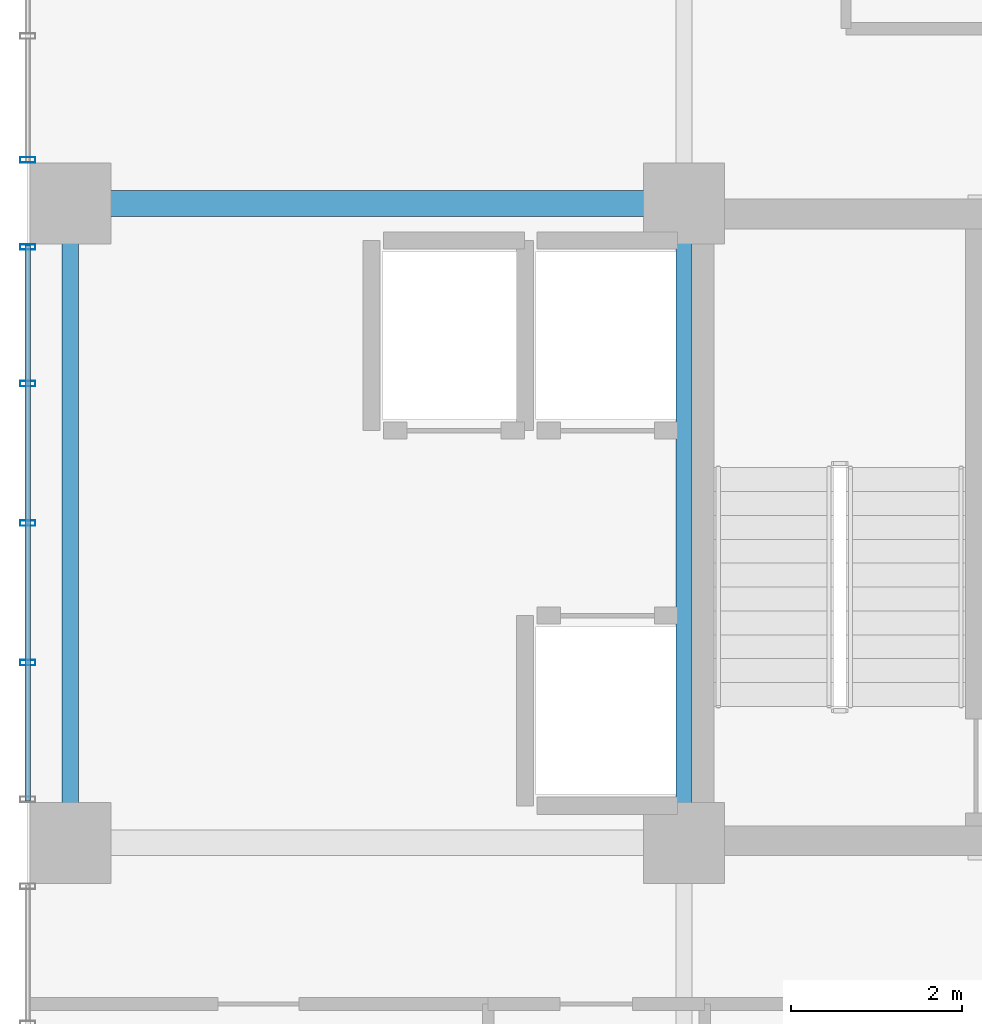
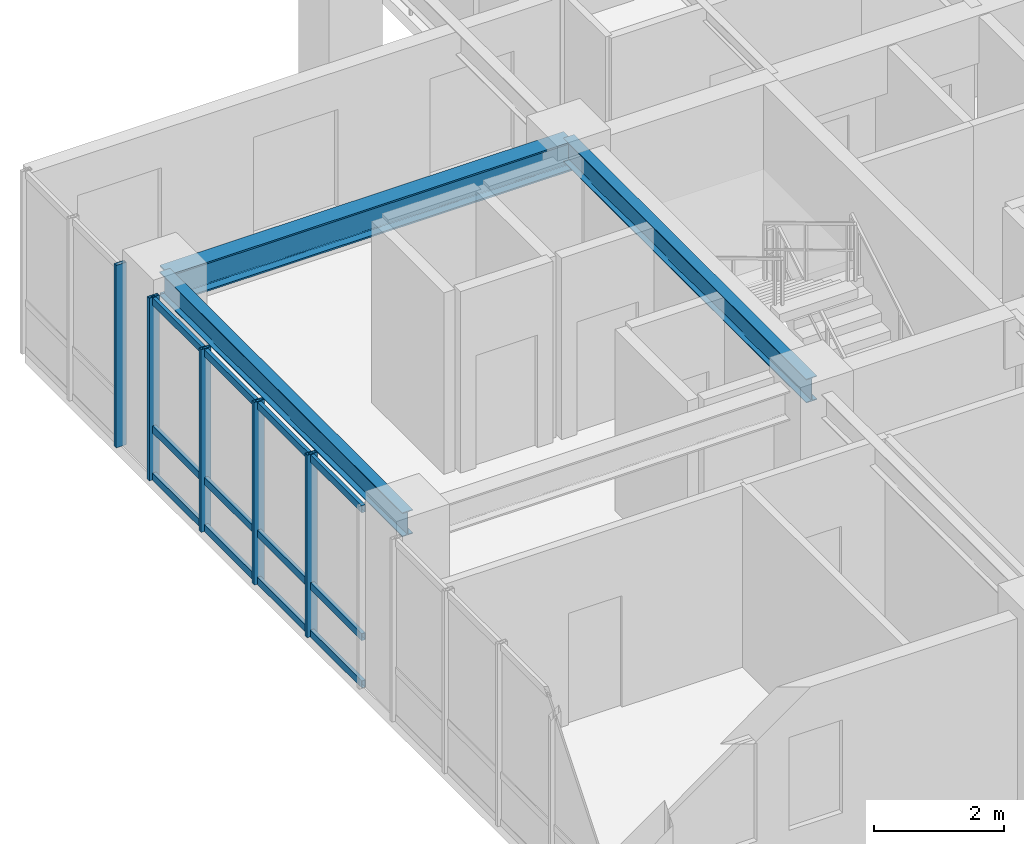
# One storey, part 8 of 20: 8 members, 3 beams, 2 elements without a shape of their own.
"""IFC4 building model written with IfcOpenShell, lengths in metres."""

from ifc_helpers import new_model, si_unit, direction, frame, origin, origin_2d, place, context, subcontext, project, spatial, hollow_rectangle, i_section, extrude, source, transform, mapped, material, layer, layer_set, material_profile, profile_set, type_object, element, aggregate, save


model = new_model("IFC4")

# Units and contexts
model_context = context("Model", 3, precision=1e-05, world=origin(), true_north=direction((0.0, 1.0)))
body_context = subcontext(model_context, "Body", "Model", "MODEL_VIEW")
ifc_project = project(units=[si_unit("LENGTHUNIT", "METRE"), si_unit("AREAUNIT", "SQUARE_METRE"), si_unit("VOLUMEUNIT", "CUBIC_METRE"), si_unit("PLANEANGLEUNIT", "RADIAN"), si_unit("MASSUNIT", "GRAM", prefix="KILO")], contexts=[model_context])

# Site, building, storey
site_placement = place(None, origin())
site = spatial("IfcSite", under=ifc_project, at=site_placement, CompositionType="ELEMENT")
building_placement = place(site_placement, origin())
building = spatial("IfcBuilding", under=site, at=building_placement, Name="Kaliganga Portal Commons", CompositionType="ELEMENT")
storey_placement = place(building_placement, frame((0.0, 0.0, 231.39990234375)))
storey = spatial("IfcBuildingStorey", under=building, at=storey_placement, Name="L59", CompositionType="ELEMENT", Elevation=231.39990234375)

# Beams
ifc_material_1 = material(Name="Structural steel S355J2", Category="steel")
ifc_material_profile_1 = material_profile(ifc_material_1, i_section(OverallWidth=0.18994140625, OverallDepth=0.449951171875, WebThickness=0.009521484375, FlangeThickness=0.0146484375, FilletRadius=0.02099609375, at=origin_2d()), Name="IPE 450")
ifc_profile_set_1 = profile_set([ifc_material_profile_1], Name="Structural steel S355J2 wide-flange")
beam_type_1 = type_object("IfcBeamType", Name="BM-FLR-450", PredefinedType="BEAM", material=ifc_profile_set_1)
shared_shape_1 = source(origin(), body_context, "Body", "SweptSolid", [
    extrude(i_section(OverallWidth=0.18994140625, OverallDepth=0.449951171875, WebThickness=0.009521484375, FlangeThickness=0.0146484375, FilletRadius=0.02099609375, at=origin_2d()), origin(), (0.0, 0.0, 1.0), 7.5),
])
for number, where, z_axis, x_axis, name in (
    (1, (7.199951171875, 28.64990234375, 3.215087890625), (0.0, 1.0, 0.0), (-1.0, 0.0, 0.0), "BM G L59 AW72"),
    (2, (14.39990234375, 28.64990234375, 3.215087890625), (0.0, 1.0, 0.0), (-1.0, 0.0, 0.0), "BM G L59 AM144"),
):
    element("IfcBeam", number, at=place(storey_placement, frame(where, z_axis=z_axis, x_axis=x_axis)), inside=storey, type_object=beam_type_1, Name=name, PredefinedType="BEAM", context=body_context, shape_type="MappedRepresentation", body=[
        mapped(shared_shape_1, transform((0.0, 0.0, 0.0), x_axis=(1.0, 0.0, 0.0), y_axis=(0.0, 1.0, 0.0), z_axis=(0.0, 0.0, 1.0), scale=1.0)),
    ])
ifc_material_profile_2 = material_profile(ifc_material_1, i_section(OverallWidth=0.300048828125, OverallDepth=0.550048828125, WebThickness=0.014892578125, FlangeThickness=0.029052734375, FilletRadius=0.027099609375, at=origin_2d()), Name="HE 550 B")
ifc_profile_set_2 = profile_set([ifc_material_profile_2], Name="Structural steel S355J2 wide-flange")
beam_type_2 = type_object("IfcBeamType", Name="BM-GIRD-550", PredefinedType="USERDEFINED", material=ifc_profile_set_2)
shared_shape_2 = source(origin(), body_context, "Body", "SweptSolid", [
    extrude(i_section(OverallWidth=0.300048828125, OverallDepth=0.550048828125, WebThickness=0.014892578125, FlangeThickness=0.029052734375, FilletRadius=0.027099609375, at=origin_2d()), origin(), (0.0, 0.0, 1.0), 7.199951171875),
])
beam_placement = place(storey_placement, frame((7.199951171875, 36.14990234375, 3.1650390625), z_axis=(1.0, 0.0, 0.0), x_axis=(0.0, 1.0, 0.0)))
element("IfcBeam", 3, at=beam_placement, inside=storey, type_object=beam_type_2, Name="BM G L59 WAH_N 1", ObjectType="GIRDER", PredefinedType="USERDEFINED", context=body_context, shape_type="MappedRepresentation", body=[
    mapped(shared_shape_2, transform((0.0, 0.0, 0.0), x_axis=(1.0, 0.0, 0.0), y_axis=(0.0, 1.0, 0.0), z_axis=(0.0, 0.0, 1.0), scale=1.0)),
])

# Curtain wall, members
ifc_material_2 = material(Name="Anodized Aluminium and Laminated Low-E Glass", Category="aluminium")
ifc_layer = layer(ifc_material_2, 0.199951171875)
ifc_layer_set = layer_set([ifc_layer], Name="Anodized Aluminium and Laminated Low-E Glass")
curtain_wall_type = type_object("IfcCurtainWallType", Name="CW-SYS-02", PredefinedType="NOTDEFINED", material=ifc_layer_set)
curtain_wall_1_placement = place(storey_placement, origin())
curtain_wall_1 = element("IfcCurtainWall", 4, at=curtain_wall_1_placement, inside=storey, type_object=curtain_wall_type, Name="CW 02 L59 P1E09S2", PredefinedType="NOTDEFINED")
ifc_material_3 = material(Name="Dark Bronze Anodized Aluminium", Category="aluminium")
ifc_material_profile_3 = material_profile(ifc_material_3, hollow_rectangle(XDim=0.06494140625, YDim=0.135009765625, WallThickness=0.00341796875, at=origin_2d()), Name="ALU TRAN 65x135x3.5")
ifc_profile_set_3 = profile_set([ifc_material_profile_3], Name="Dark Bronze Anodized Aluminium")
member_type_1 = type_object("IfcMemberType", Name="CW-TRN-135", PredefinedType="USERDEFINED", material=ifc_profile_set_3)
shared_shape_3 = source(origin(), body_context, "Body", "SweptSolid", [
    extrude(hollow_rectangle(XDim=0.06494140625, YDim=0.135009765625, WallThickness=0.00341796875, at=origin_2d()), origin(), (0.0, 0.0, 1.0), 6.508056640625),
])
member_1_placement = place(storey_placement, frame((6.699951171875, 35.654052734375, 0.06005859375), z_axis=(0.0, -1.0, 0.0), x_axis=(1.0, 0.0, 0.0)))
member_1 = element("IfcMember", 5, at=member_1_placement, type_object=member_type_1, Name="CW:02:L59:P1E09S2 Transom 1", ObjectType="TRANSOM", PredefinedType="USERDEFINED", context=body_context, shape_type="MappedRepresentation", body=[
    mapped(shared_shape_3, transform((0.0, 0.0, 0.0), x_axis=(1.0, 0.0, 0.0), y_axis=(0.0, 1.0, 0.0), z_axis=(0.0, 0.0, 1.0), scale=1.0)),
])
member_2_placement = place(storey_placement, frame((6.699951171875, 35.654052734375, 0.9501953125), z_axis=(0.0, -1.0, 0.0), x_axis=(1.0, 0.0, 0.0)))
member_2 = element("IfcMember", 6, at=member_2_placement, type_object=member_type_1, Name="CW:02:L59:P1E09S2 Transom 2", ObjectType="TRANSOM", PredefinedType="USERDEFINED", context=body_context, shape_type="MappedRepresentation", body=[
    mapped(shared_shape_3, transform((0.0, 0.0, 0.0), x_axis=(1.0, 0.0, 0.0), y_axis=(0.0, 1.0, 0.0), z_axis=(0.0, 0.0, 1.0), scale=1.0)),
])
member_3_placement = place(storey_placement, frame((6.699951171875, 35.654052734375, 3.360107421875), z_axis=(0.0, -1.0, 0.0), x_axis=(1.0, 0.0, 0.0)))
member_3 = element("IfcMember", 7, at=member_3_placement, type_object=member_type_1, Name="CW:02:L59:P1E09S2 Transom 3", ObjectType="TRANSOM", PredefinedType="USERDEFINED", context=body_context, shape_type="MappedRepresentation", body=[
    mapped(shared_shape_3, transform((0.0, 0.0, 0.0), x_axis=(1.0, 0.0, 0.0), y_axis=(0.0, 1.0, 0.0), z_axis=(0.0, 0.0, 1.0), scale=1.0)),
])

# Curtain wall, member
curtain_wall_2_placement = place(storey_placement, origin())
curtain_wall_2 = element("IfcCurtainWall", 8, at=curtain_wall_2_placement, inside=storey, type_object=curtain_wall_type, Name="CW 02 L59 P1E09S1", PredefinedType="NOTDEFINED")
ifc_material_profile_4 = material_profile(ifc_material_3, hollow_rectangle(XDim=0.06494140625, YDim=0.179931640625, WallThickness=0.00390625, at=origin_2d()), Name="ALU MULL 65x180x4")
ifc_profile_set_4 = profile_set([ifc_material_profile_4], Name="Dark Bronze Anodized Aluminium")
member_type_2 = type_object("IfcMemberType", Name="CW-MUL-180", PredefinedType="MULLION", material=ifc_profile_set_4)
shared_shape_4 = source(origin(), body_context, "Body", "SweptSolid", [
    extrude(hollow_rectangle(XDim=0.06494140625, YDim=0.179931640625, WallThickness=0.00390625, at=origin_2d()), origin(), (0.0, 0.0, 1.0), 3.440185546875),
])
member_4_placement = place(storey_placement, frame((6.699951171875, 36.660888671875, 0.0), z_axis=(0.0, 0.0, 1.0), x_axis=(0.0, -1.0, 0.0)))
member_4 = element("IfcMember", 9, at=member_4_placement, type_object=member_type_2, Name="CW:02:L59:P1E09S1 Mullion 02", PredefinedType="MULLION", context=body_context, shape_type="MappedRepresentation", body=[
    mapped(shared_shape_4, transform((0.0, 0.0, 0.0), x_axis=(1.0, 0.0, 0.0), y_axis=(0.0, 1.0, 0.0), z_axis=(0.0, 0.0, 1.0), scale=1.0)),
])
aggregate(curtain_wall_2, [member_4])

# Member
member_5_placement = place(storey_placement, frame((6.699951171875, 35.638916015625, 0.0), z_axis=(0.0, 0.0, 1.0), x_axis=(0.0, -1.0, 0.0)))
member_5 = element("IfcMember", 10, at=member_5_placement, type_object=member_type_2, Name="CW:02:L59:P1E09S2 Mullion 00", PredefinedType="MULLION", context=body_context, shape_type="MappedRepresentation", body=[
    mapped(shared_shape_4, transform((0.0, 0.0, 0.0), x_axis=(1.0, 0.0, 0.0), y_axis=(0.0, 1.0, 0.0), z_axis=(0.0, 0.0, 1.0), scale=1.0)),
])

member_6_placement = place(storey_placement, frame((6.699951171875, 34.037109375, 0.0), z_axis=(0.0, 0.0, 1.0), x_axis=(0.0, -1.0, 0.0)))
member_6 = element("IfcMember", 11, at=member_6_placement, type_object=member_type_2, Name="CW:02:L59:P1E09S2 Mullion 01", PredefinedType="MULLION", context=body_context, shape_type="MappedRepresentation", body=[
    mapped(shared_shape_4, transform((0.0, 0.0, 0.0), x_axis=(1.0, 0.0, 0.0), y_axis=(0.0, 1.0, 0.0), z_axis=(0.0, 0.0, 1.0), scale=1.0)),
])

member_7_placement = place(storey_placement, frame((6.699951171875, 32.39990234375, 0.0), z_axis=(0.0, 0.0, 1.0), x_axis=(0.0, -1.0, 0.0)))
member_7 = element("IfcMember", 12, at=member_7_placement, type_object=member_type_2, Name="CW:02:L59:P1E09S2 Mullion 02", PredefinedType="MULLION", context=body_context, shape_type="MappedRepresentation", body=[
    mapped(shared_shape_4, transform((0.0, 0.0, 0.0), x_axis=(1.0, 0.0, 0.0), y_axis=(0.0, 1.0, 0.0), z_axis=(0.0, 0.0, 1.0), scale=1.0)),
])

member_8_placement = place(storey_placement, frame((6.699951171875, 30.762939453125, 0.0), z_axis=(0.0, 0.0, 1.0), x_axis=(0.0, -1.0, 0.0)))
member_8 = element("IfcMember", 13, at=member_8_placement, type_object=member_type_2, Name="CW:02:L59:P1E09S2 Mullion 03", PredefinedType="MULLION", context=body_context, shape_type="MappedRepresentation", body=[
    mapped(shared_shape_4, transform((0.0, 0.0, 0.0), x_axis=(1.0, 0.0, 0.0), y_axis=(0.0, 1.0, 0.0), z_axis=(0.0, 0.0, 1.0), scale=1.0)),
])

aggregate(curtain_wall_1, [member_5, member_6, member_7, member_8, member_1, member_2, member_3])

save(model, "model.ifc")
